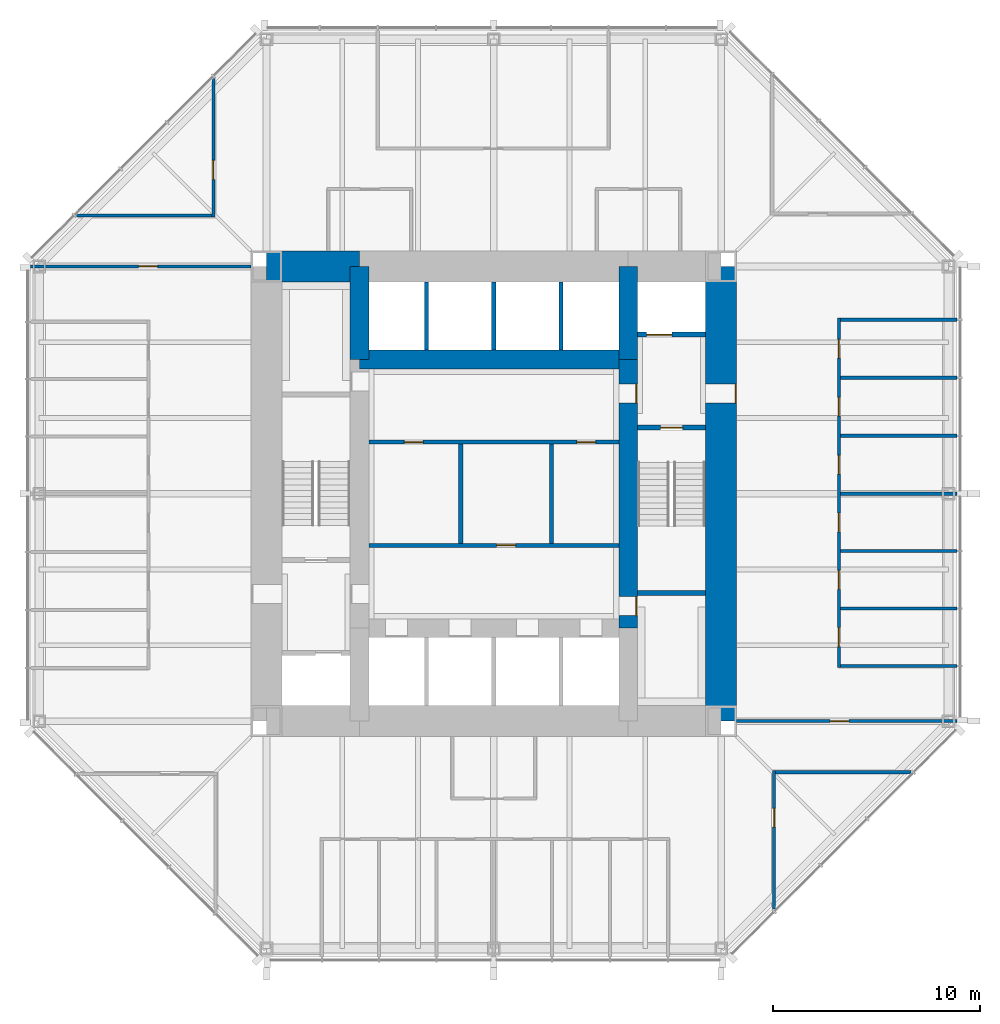
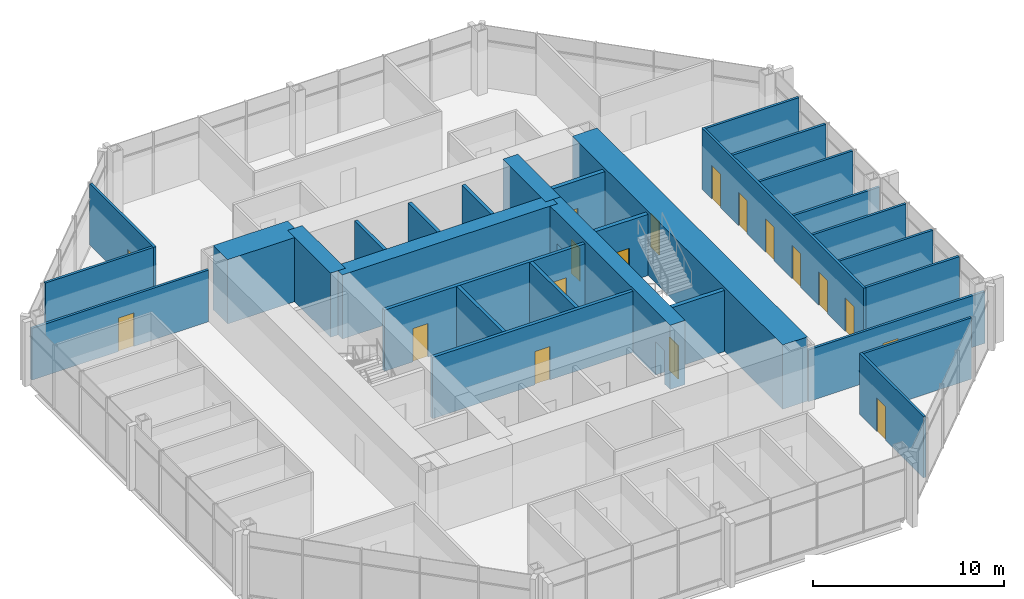
# One storey, part 10 of 12: 30 walls, 18 doors, 18 openings.
"""IFC4 building model written with IfcOpenShell, lengths in metres."""

import ifcopenshell
import ifcopenshell.guid

model = None  # the IFC model being written
_history = None  # IfcOwnerHistory: only IFC2X3 demands one
_inside = {}  # id of a spatial element -> (the spatial element, [elements in it])
_under = {}  # id of a project, library or spatial element -> (it, [spatial elements below it])
_declared = {}  # id of a project -> (the project, [libraries it declares])
_typed = {}  # id of a type object -> (the type object, [elements of that type])
_made_of = {}  # id of a material, layer set ... -> (it, [elements and type objects made of it])


def new_model(schema):
    """Start an empty IFC model of exactly this schema.

    Asked for "IFC4X3", IfcOpenShell would pick the latest addendum, in which some entities
    have other attributes; the version numbers below select the first issue.
    IFC2X3 requires an IfcOwnerHistory on every rooted entity: one is made here for all.
    """
    global model, _history
    if schema == "IFC4X3":
        model = ifcopenshell.file(schema_version=(4, 3, 0, 0))
    else:
        model = ifcopenshell.file(schema=schema)
    _inside.clear()
    _under.clear()
    _declared.clear()
    _typed.clear()
    _made_of.clear()
    _history = None
    if model.schema == "IFC2X3":
        org = make("IfcOrganization", Name="unknown")
        user = make(
            "IfcPersonAndOrganization",
            ThePerson=make("IfcPerson", FamilyName="unknown"),
            TheOrganization=org,
        )
        app = make(
            "IfcApplication",
            ApplicationDeveloper=org,
            Version="unknown",
            ApplicationFullName="unknown",
            ApplicationIdentifier="unknown",
        )
        _history = make(
            "IfcOwnerHistory",
            OwningUser=user,
            OwningApplication=app,
            ChangeAction="ADDED",
            CreationDate=0,
        )
    return model


def make(cls, **values):
    """One entity of the class cls with the attributes given. An attribute that is None is left unset."""
    return model.create_entity(
        cls, **{name: value for name, value in values.items() if value is not None}
    )


def rooted(cls, **values):
    """An entity with a GlobalId (a new one), such as an element, a storey or a relation."""
    return make(cls, GlobalId=ifcopenshell.guid.new(), OwnerHistory=_history, **values)


def si_unit(unit_type, name, prefix=None):
    """IfcSIUnit, for example si_unit("LENGTHUNIT", "METRE", prefix="MILLI")."""
    return make("IfcSIUnit", UnitType=unit_type, Prefix=prefix, Name=name)


def assignment(units):
    """IfcUnitAssignment: the units of a project."""
    return None if units is None else make("IfcUnitAssignment", Units=units)


def point(xyz):
    """IfcCartesianPoint."""
    return None if xyz is None else make("IfcCartesianPoint", Coordinates=xyz)


def direction(xyz):
    """IfcDirection."""
    return None if xyz is None else make("IfcDirection", DirectionRatios=xyz)


def frame(location, z_axis=None, x_axis=None):
    """IfcAxis2Placement3D, a coordinate frame: its origin and axes. An axis left out is left unset."""
    return make(
        "IfcAxis2Placement3D",
        Location=point(location),
        Axis=direction(z_axis),
        RefDirection=direction(x_axis),
    )


def frame_2d(location, x_axis=None):
    """IfcAxis2Placement2D, a coordinate frame in the plane: its origin and x axis."""
    return make(
        "IfcAxis2Placement2D", Location=point(location), RefDirection=direction(x_axis)
    )


def origin():
    """The frame at (0, 0, 0) with its axes left unset."""
    return frame((0.0, 0.0, 0.0))


def place(relative_to, where):
    """IfcLocalPlacement: puts the frame where relative to a parent placement (None: the world)."""
    return make(
        "IfcLocalPlacement", PlacementRelTo=relative_to, RelativePlacement=where
    )


def context(
    kind, dimensions, precision=None, world=None, true_north=None, identifier=None
):
    """IfcGeometricRepresentationContext, for example the 3D "Model" context."""
    return make(
        "IfcGeometricRepresentationContext",
        ContextIdentifier=identifier,
        ContextType=kind,
        CoordinateSpaceDimension=dimensions,
        Precision=precision,
        WorldCoordinateSystem=world,
        TrueNorth=true_north,
    )


def subcontext(parent, identifier, kind, view, scale=None):
    """IfcGeometricRepresentationSubContext, for example "Body" below "Model"."""
    return make(
        "IfcGeometricRepresentationSubContext",
        ContextIdentifier=identifier,
        ContextType=kind,
        ParentContext=parent,
        TargetScale=scale,
        TargetView=view,
    )


def project(units=None, contexts=None):
    """IfcProject with its units and contexts."""
    return rooted(
        "IfcProject",
        Name="project",
        RepresentationContexts=contexts,
        UnitsInContext=assignment(units),
    )


def spatial(cls, under=None, at=None, **own):
    """A site, building, storey or space (cls), placed at a placement, below another one or the project."""
    s = rooted(cls, ObjectPlacement=at, **own)
    if under is not None:
        _under.setdefault(under.id(), (under, []))[1].append(s)
    return s


def profile(cls, at=None, kind="AREA", **sizes):
    """A parametric profile (cls). Its sizes go by their IFC names, for example OverallWidth=200.0."""
    return make(cls, ProfileType=kind, Position=at, **sizes)


def rectangle(**sizes):
    """IfcRectangleProfileDef."""
    return profile("IfcRectangleProfileDef", **sizes)


def extrude(swept, where, along, depth):
    """IfcExtrudedAreaSolid: the profile swept, set in the frame where, extruded along a direction by depth."""
    return make(
        "IfcExtrudedAreaSolid",
        SweptArea=swept,
        Position=where,
        ExtrudedDirection=direction(along),
        Depth=depth,
    )


def shape(context_of_items, identifier, shape_type, items):
    """IfcShapeRepresentation: the items that make up one representation, for example the "Body"."""
    return make(
        "IfcShapeRepresentation",
        ContextOfItems=context_of_items,
        RepresentationIdentifier=identifier,
        RepresentationType=shape_type,
        Items=items,
    )


def material(Name=None, Category=None):
    """IfcMaterial."""
    return make("IfcMaterial", Name=Name, Category=Category)


def layer(
    of_material, thickness, ventilated=None, Name=None, Category=None, Priority=None
):
    """IfcMaterialLayer: one layer of a wall or slab, of a material (None: an air gap)."""
    return make(
        "IfcMaterialLayer",
        Material=of_material,
        LayerThickness=thickness,
        IsVentilated=ventilated,
        Name=Name,
        Category=Category,
        Priority=Priority,
    )


def layer_set(layers, Name=None):
    """IfcMaterialLayerSet."""
    return make("IfcMaterialLayerSet", MaterialLayers=layers, LayerSetName=Name)


def made_of(thing, what):
    """Note that an element or type object is made of a material, layer set ...; save() writes the relation."""
    if what is not None:
        _made_of.setdefault(what.id(), (what, []))[1].append(thing)
    return thing


def type_object(cls, material=None, **own):
    """A type object (cls), such as IfcWallType, which elements share."""
    return made_of(rooted(cls, **own), material)


def element(
    cls,
    number,
    at=None,
    inside=None,
    cuts=None,
    type_object=None,
    material=None,
    context=None,
    identifier="Body",
    shape_type=None,
    held_by="IfcProductDefinitionShape",
    body=None,
    shapes=None,
    **own,
):
    """One element of the class cls, such as IfcWall. Its Tag is "e" and its number.

    at: its placement. inside: the storey or other place that contains it. cuts: it is an
    opening in that element (IfcRelVoidsElement). A single representation is given by context,
    identifier, shape_type and body (its items); several are given by shapes. held_by: the class
    of the entity that holds the representations. save() writes the other relations.
    """
    e = rooted(cls, Tag="e%d" % number, ObjectPlacement=at, **own)
    if body is not None:
        shapes = [shape(context, identifier, shape_type, body)]
    if shapes is not None:
        e.Representation = make(held_by, Representations=shapes)
    if inside is not None:
        _inside.setdefault(inside.id(), (inside, []))[1].append(e)
    if cuts is not None:
        rooted(
            "IfcRelVoidsElement", RelatingBuildingElement=cuts, RelatedOpeningElement=e
        )
    if type_object is not None:
        _typed.setdefault(type_object.id(), (type_object, []))[1].append(e)
    return made_of(e, material)


def fill(opening, filler):
    """IfcRelFillsElement: the door or window that sits in an opening."""
    return rooted(
        "IfcRelFillsElement",
        RelatingOpeningElement=opening,
        RelatedBuildingElement=filler,
    )


def aggregate(whole, parts):
    """IfcRelAggregates: a whole, such as a stair, and the parts it consists of."""
    return rooted("IfcRelAggregates", RelatingObject=whole, RelatedObjects=parts)


def save(model, path):
    """Write the relations noted so far, then the file.

    IfcRelAggregates (storeys below a building ...), IfcRelContainedInSpatialStructure (elements
    in a storey), IfcRelDefinesByType, IfcRelAssociatesMaterial and IfcRelDeclares: one each for
    every whole, place, type object, material and project.
    """
    for whole, parts in _under.values():
        aggregate(whole, parts)
    for where, things in _inside.values():
        rooted(
            "IfcRelContainedInSpatialStructure",
            RelatedElements=things,
            RelatingStructure=where,
        )
    for kind, things in _typed.values():
        rooted("IfcRelDefinesByType", RelatedObjects=things, RelatingType=kind)
    for what, things in _made_of.values():
        rooted("IfcRelAssociatesMaterial", RelatedObjects=things, RelatingMaterial=what)
    for by, libraries in _declared.values():
        rooted("IfcRelDeclares", RelatingContext=by, RelatedDefinitions=libraries)
    model.write(path)


model = new_model("IFC4")

# Units and contexts
model_context = context("Model", 3, precision=1e-05, world=origin(), true_north=direction((0.0, 1.0)))
body_context = subcontext(model_context, "Body", "Model", "MODEL_VIEW")
ifc_project = project(units=[si_unit("LENGTHUNIT", "METRE"), si_unit("AREAUNIT", "SQUARE_METRE"), si_unit("VOLUMEUNIT", "CUBIC_METRE"), si_unit("PLANEANGLEUNIT", "RADIAN"), si_unit("MASSUNIT", "GRAM", prefix="KILO")], contexts=[model_context])

# Site, building, storey
site_placement = place(None, origin())
site = spatial("IfcSite", under=ifc_project, at=site_placement, CompositionType="ELEMENT")
building_placement = place(site_placement, origin())
building = spatial("IfcBuilding", under=site, at=building_placement, Name="Trevanion Tower", CompositionType="ELEMENT")
storey_placement = place(building_placement, frame((0.0, 0.0, 174.60009765625)))
storey = spatial("IfcBuildingStorey", under=building, at=storey_placement, Name="L41", CompositionType="ELEMENT", Elevation=174.60009765625)

# Wall, opening, door
ifc_material_1 = material(Name="Concrete 10,000 psi", Category="concrete")
ifc_layer_1 = layer(ifc_material_1, 1.5)
ifc_layer_set_1 = layer_set([ifc_layer_1], Name="CW1 core wall 1500")
wall_type_1 = type_object("IfcWallType", Name="CW1 core wall 1500", PredefinedType="SHEAR", material=ifc_layer_set_1)
wall_1_placement = place(storey_placement, frame((11.0, -11.0, 0.0), z_axis=(0.0, 0.0, 1.0), x_axis=(0.0, 1.0, 0.0)))
wall_1 = element("IfcWall", 1, at=wall_1_placement, inside=storey, type_object=wall_type_1, Name="CW1 CE L41", PredefinedType="SHEAR", context=body_context, shape_type="SweptSolid", body=[
    extrude(rectangle(XDim=22.0, YDim=1.5, at=frame_2d((11.0, 0.0))), origin(), (0.0, 0.0, 1.0), 4.099853515625),
])
opening_1_placement = place(wall_1_placement, frame((15.392578125, 0.0, 0.0)))
opening_1 = element("IfcOpeningElement", 2, at=opening_1_placement, cuts=wall_1, Name="Opening 41-001", PredefinedType="OPENING", context=body_context, shape_type="SweptSolid", body=[
    extrude(rectangle(XDim=0.9150390625, YDim=2.134033203125, at=frame_2d((0.45751953125, 1.06689453125))), frame((0.0, 0.760009765625, 0.0), z_axis=(0.0, -1.0, 0.0), x_axis=(1.0, 0.0, 0.0)), (0.0, 0.0, 1.0), 1.52001953125),
])
ifc_material_2 = material(Name="Hollow metal, fire rated", Category="steel")
door_type_1 = type_object("IfcDoorType", Name="D3 fire lift lobby door", OperationType="SINGLE_SWING_RIGHT", PredefinedType="DOOR", material=ifc_material_2)
door_1_placement = place(opening_1_placement, origin())
door_1 = element("IfcDoor", 3, at=door_1_placement, inside=storey, type_object=door_type_1, Name="Door 41-001", OperationType="SINGLE_SWING_RIGHT", OverallHeight=2.134033203125, OverallWidth=0.9150390625, PredefinedType="DOOR", context=body_context, shape_type="SweptSolid", body=[
    extrude(rectangle(XDim=0.9150390625, YDim=2.134033203125, at=frame_2d((0.45751953125, 1.06689453125))), frame((0.0, -0.6748046875, 0.0), z_axis=(0.0, -1.0, 0.0), x_axis=(1.0, 0.0, 0.0)), (0.0, 0.0, 1.0), 0.050048828125),
])
fill(opening_1, door_1)

# Wall
wall_2_placement = place(storey_placement, frame((-6.5, 11.0, 0.0), z_axis=(0.0, 0.0, 1.0), x_axis=(-1.0, 0.0, 0.0)))
element("IfcWall", 4, at=wall_2_placement, inside=storey, type_object=wall_type_1, Name="CW1 CN3 L41", PredefinedType="SHEAR", context=body_context, shape_type="SweptSolid", body=[
    extrude(rectangle(XDim=4.5, YDim=1.5, at=frame_2d((2.25, 0.0))), origin(), (0.0, 0.0, 1.0), 4.099853515625),
])

# Wall, openings, doors
ifc_material_3 = material(Name="Concrete 10,000 psi", Category="concrete")
ifc_layer_2 = layer(ifc_material_3, 0.89990234375)
ifc_layer_set_2 = layer_set([ifc_layer_2], Name="CW2 core wall 900")
wall_type_2 = type_object("IfcWallType", Name="CW2 core wall 900", PredefinedType="SHEAR", material=ifc_layer_set_2)
wall_3_placement = place(storey_placement, frame((6.5, -6.5, 0.0), z_axis=(0.0, 0.0, 1.0), x_axis=(0.0, 1.0, 0.0)))
wall_3 = element("IfcWall", 5, at=wall_3_placement, inside=storey, type_object=wall_type_2, Name="CW2 RE2 L41", PredefinedType="SHEAR", context=body_context, shape_type="SweptSolid", body=[
    extrude(rectangle(XDim=13.0, YDim=0.89990234375, at=frame_2d((6.5, 0.0))), origin(), (0.0, 0.0, 1.0), 4.099853515625),
])
opening_2_placement = place(wall_3_placement, frame((10.892578125, 0.0, 0.0)))
opening_2 = element("IfcOpeningElement", 6, at=opening_2_placement, cuts=wall_3, Name="Opening 41-003", PredefinedType="OPENING", context=body_context, shape_type="SweptSolid", body=[
    extrude(rectangle(XDim=0.9150390625, YDim=2.134033203125, at=frame_2d((0.45751953125, 1.06689453125))), frame((0.0, 0.4599609375, 0.0), z_axis=(0.0, -1.0, 0.0), x_axis=(1.0, 0.0, 0.0)), (0.0, 0.0, 1.0), 0.919921875),
])
opening_3_placement = place(wall_3_placement, frame((0.610107421875, 0.0, 0.0)))
opening_3 = element("IfcOpeningElement", 7, at=opening_3_placement, cuts=wall_3, Name="Opening 41-009", PredefinedType="OPENING", context=body_context, shape_type="SweptSolid", body=[
    extrude(rectangle(XDim=0.9150390625, YDim=2.134033203125, at=frame_2d((0.45751953125, 1.06689453125))), frame((0.0, 0.4599609375, 0.0), z_axis=(0.0, -1.0, 0.0), x_axis=(1.0, 0.0, 0.0)), (0.0, 0.0, 1.0), 0.919921875),
])
door_2_placement = place(opening_2_placement, origin())
door_2 = element("IfcDoor", 8, at=door_2_placement, inside=storey, type_object=door_type_1, Name="Door 41-003", OperationType="SINGLE_SWING_RIGHT", OverallHeight=2.134033203125, OverallWidth=0.9150390625, PredefinedType="DOOR", context=body_context, shape_type="SweptSolid", body=[
    extrude(rectangle(XDim=0.9150390625, YDim=2.134033203125, at=frame_2d((0.45751953125, 1.06689453125))), frame((0.0, -0.375, 0.0), z_axis=(0.0, -1.0, 0.0), x_axis=(1.0, 0.0, 0.0)), (0.0, 0.0, 1.0), 0.050048828125),
])
fill(opening_2, door_2)
ifc_material_4 = material(Name="Hollow metal, fire rated", Category="steel")
door_type_2 = type_object("IfcDoorType", Name="D5 service room door", OperationType="SINGLE_SWING_RIGHT", PredefinedType="DOOR", material=ifc_material_4)
door_3_placement = place(opening_3_placement, origin())
door_3 = element("IfcDoor", 9, at=door_3_placement, inside=storey, type_object=door_type_2, Name="Door 41-009", OperationType="SINGLE_SWING_RIGHT", OverallHeight=2.134033203125, OverallWidth=0.9150390625, PredefinedType="DOOR", context=body_context, shape_type="SweptSolid", body=[
    extrude(rectangle(XDim=0.9150390625, YDim=2.134033203125, at=frame_2d((0.45751953125, 1.06689453125))), frame((0.0, -0.375, 0.0), z_axis=(0.0, -1.0, 0.0), x_axis=(1.0, 0.0, 0.0)), (0.0, 0.0, 1.0), 0.050048828125),
])
fill(opening_3, door_3)

# Walls
for number, where, z_axis, x_axis, name in (
    (10, (6.5, 6.5, 0.0), (0.0, 0.0, 1.0), (0.0, 1.0, 0.0), "CW2 RE3 L41"),
    (11, (-6.5, 11.0, 0.0), (0.0, 0.0, 1.0), (0.0, -1.0, 0.0), "CW2 RW1 L41"),
):
    element("IfcWall", number, at=place(storey_placement, frame(where, z_axis=z_axis, x_axis=x_axis)), inside=storey, type_object=wall_type_2, Name=name, PredefinedType="SHEAR", context=body_context, shape_type="SweptSolid", body=[
        extrude(rectangle(XDim=4.5, YDim=0.89990234375, at=frame_2d((2.25, 0.0))), origin(), (0.0, 0.0, 1.0), 4.099853515625),
    ])
wall_4_placement = place(storey_placement, frame((6.5, 6.5, 0.0), z_axis=(0.0, 0.0, 1.0), x_axis=(-1.0, 0.0, 0.0)))
element("IfcWall", 12, at=wall_4_placement, inside=storey, type_object=wall_type_2, Name="CW2 RN L41", PredefinedType="SHEAR", context=body_context, shape_type="SweptSolid", body=[
    extrude(rectangle(XDim=13.0, YDim=0.89990234375, at=frame_2d((6.5, 0.0))), origin(), (0.0, 0.0, 1.0), 4.099853515625),
])

# Wall, opening, door
ifc_material_5 = material(Name="Gypsum board on steel studs", Category="steel")
ifc_layer_3 = layer(ifc_material_5, 0.14990234375)
ifc_layer_set_3 = layer_set([ifc_layer_3], Name="PT1 partition 150")
wall_type_3 = type_object("IfcWallType", Name="PT1 partition 150", PredefinedType="PARTITIONING", material=ifc_layer_set_3)
wall_5_placement = place(storey_placement, frame((-11.75, 11.0, 0.0), z_axis=(0.0, 0.0, 1.0), x_axis=(-1.0, 0.0, 0.0)))
wall_5 = element("IfcWall", 13, at=wall_5_placement, inside=storey, type_object=wall_type_3, Name="PT1 L41 ZW1", PredefinedType="PARTITIONING", context=body_context, shape_type="SweptSolid", body=[
    extrude(rectangle(XDim=10.6650390625, YDim=0.14990234375, at=frame_2d((5.33251953125, 0.0))), origin(), (0.0, 0.0, 1.0), 3.30029296875),
])
opening_4_placement = place(wall_5_placement, frame((4.517578125, 0.0, 0.0)))
opening_4 = element("IfcOpeningElement", 14, at=opening_4_placement, cuts=wall_5, Name="Opening 41-018", PredefinedType="OPENING", context=body_context, shape_type="SweptSolid", body=[
    extrude(rectangle(XDim=0.9150390625, YDim=2.134033203125, at=frame_2d((0.45751953125, 1.06689453125))), frame((0.0, 0.0849609375, 0.0), z_axis=(0.0, -1.0, 0.0), x_axis=(1.0, 0.0, 0.0)), (0.0, 0.0, 1.0), 0.169921875),
])
ifc_material_6 = material(Name="Timber veneer, solid core", Category="wood")
door_type_3 = type_object("IfcDoorType", Name="D1 office and meeting room door", OperationType="SINGLE_SWING_LEFT", PredefinedType="DOOR", material=ifc_material_6)
door_4_placement = place(opening_4_placement, origin())
door_4 = element("IfcDoor", 15, at=door_4_placement, inside=storey, type_object=door_type_3, Name="Door 41-018", OperationType="SINGLE_SWING_LEFT", OverallHeight=2.134033203125, OverallWidth=0.9150390625, PredefinedType="DOOR", context=body_context, shape_type="SweptSolid", body=[
    extrude(rectangle(XDim=0.9150390625, YDim=2.134033203125, at=frame_2d((0.45751953125, 1.06689453125))), frame((0.0, 0.02490234375, 0.0), z_axis=(0.0, -1.0, 0.0), x_axis=(1.0, 0.0, 0.0)), (0.0, 0.0, 1.0), 0.050048828125),
])
fill(opening_4, door_4)

wall_6_placement = place(storey_placement, frame((11.75, -11.0, 0.0), z_axis=(0.0, 0.0, 1.0), x_axis=(1.0, 0.0, 0.0)))
wall_6 = element("IfcWall", 16, at=wall_6_placement, inside=storey, type_object=wall_type_3, Name="PT1 L41 ZW3", PredefinedType="PARTITIONING", context=body_context, shape_type="SweptSolid", body=[
    extrude(rectangle(XDim=10.6650390625, YDim=0.14990234375, at=frame_2d((5.33251953125, 0.0))), origin(), (0.0, 0.0, 1.0), 3.30029296875),
])
opening_5_placement = place(wall_6_placement, frame((4.517578125, 0.0, 0.0)))
opening_5 = element("IfcOpeningElement", 17, at=opening_5_placement, cuts=wall_6, Name="Opening 41-019", PredefinedType="OPENING", context=body_context, shape_type="SweptSolid", body=[
    extrude(rectangle(XDim=0.9150390625, YDim=2.134033203125, at=frame_2d((0.45751953125, 1.06689453125))), frame((0.0, 0.0849609375, 0.0), z_axis=(0.0, -1.0, 0.0), x_axis=(1.0, 0.0, 0.0)), (0.0, 0.0, 1.0), 0.169921875),
])
door_5_placement = place(opening_5_placement, origin())
door_5 = element("IfcDoor", 18, at=door_5_placement, inside=storey, type_object=door_type_3, Name="Door 41-019", OperationType="SINGLE_SWING_LEFT", OverallHeight=2.134033203125, OverallWidth=0.9150390625, PredefinedType="DOOR", context=body_context, shape_type="SweptSolid", body=[
    extrude(rectangle(XDim=0.9150390625, YDim=2.134033203125, at=frame_2d((0.45751953125, 1.06689453125))), frame((0.0, 0.02490234375, 0.0), z_axis=(0.0, -1.0, 0.0), x_axis=(1.0, 0.0, 0.0)), (0.0, 0.0, 1.0), 0.050048828125),
])
fill(opening_5, door_5)

wall_7_placement = place(storey_placement, frame((-13.56591796875, 13.39892578125, 0.0), z_axis=(0.0, 0.0, 1.0), x_axis=(0.0, 1.0, 0.0)))
wall_7 = element("IfcWall", 19, at=wall_7_placement, inside=storey, type_object=wall_type_3, Name="PT1 L41 KW1a", PredefinedType="PARTITIONING", context=body_context, shape_type="SweptSolid", body=[
    extrude(rectangle(XDim=6.697998046875, YDim=0.14990234375, at=frame_2d((3.34912109375, 0.0))), origin(), (0.0, 0.0, 1.0), 3.909912109375),
])
opening_6_placement = place(wall_7_placement, frame((1.8173828125, 0.0, 0.0)))
opening_6 = element("IfcOpeningElement", 20, at=opening_6_placement, cuts=wall_7, Name="Opening 41-021", PredefinedType="OPENING", context=body_context, shape_type="SweptSolid", body=[
    extrude(rectangle(XDim=0.9150390625, YDim=2.134033203125, at=frame_2d((0.45751953125, 1.06689453125))), frame((0.0, 0.0849609375, 0.0), z_axis=(0.0, -1.0, 0.0), x_axis=(1.0, 0.0, 0.0)), (0.0, 0.0, 1.0), 0.169921875),
])
door_6_placement = place(opening_6_placement, origin())
door_6 = element("IfcDoor", 21, at=door_6_placement, inside=storey, type_object=door_type_3, Name="Door 41-021", OperationType="SINGLE_SWING_LEFT", OverallHeight=2.134033203125, OverallWidth=0.9150390625, PredefinedType="DOOR", context=body_context, shape_type="SweptSolid", body=[
    extrude(rectangle(XDim=0.9150390625, YDim=2.134033203125, at=frame_2d((0.45751953125, 1.06689453125))), frame((0.0, 0.02490234375, 0.0), z_axis=(0.0, -1.0, 0.0), x_axis=(1.0, 0.0, 0.0)), (0.0, 0.0, 1.0), 0.050048828125),
])
fill(opening_6, door_6)

# Wall
wall_8_placement = place(storey_placement, frame((-13.64111328125, 13.47412109375, 0.0), z_axis=(0.0, 0.0, 1.0), x_axis=(-1.0, 0.0, 0.0)))
element("IfcWall", 22, at=wall_8_placement, inside=storey, type_object=wall_type_3, Name="PT1 L41 KW1b", PredefinedType="PARTITIONING", context=body_context, shape_type="SweptSolid", body=[
    extrude(rectangle(XDim=6.5478515625, YDim=0.14990234375, at=frame_2d((3.27392578125, 0.0))), origin(), (0.0, 0.0, 1.0), 3.909912109375),
])

# Wall, opening, door
wall_9_placement = place(storey_placement, frame((13.56591796875, -13.39892578125, 0.0), z_axis=(0.0, 0.0, 1.0), x_axis=(0.0, -1.0, 0.0)))
wall_9 = element("IfcWall", 23, at=wall_9_placement, inside=storey, type_object=wall_type_3, Name="PT1 L41 KW3a", PredefinedType="PARTITIONING", context=body_context, shape_type="SweptSolid", body=[
    extrude(rectangle(XDim=6.697998046875, YDim=0.14990234375, at=frame_2d((3.34912109375, 0.0))), origin(), (0.0, 0.0, 1.0), 3.909912109375),
])
opening_7_placement = place(wall_9_placement, frame((1.8173828125, 0.0, 0.0)))
opening_7 = element("IfcOpeningElement", 24, at=opening_7_placement, cuts=wall_9, Name="Opening 41-023", PredefinedType="OPENING", context=body_context, shape_type="SweptSolid", body=[
    extrude(rectangle(XDim=0.9150390625, YDim=2.134033203125, at=frame_2d((0.45751953125, 1.06689453125))), frame((0.0, 0.0849609375, 0.0), z_axis=(0.0, -1.0, 0.0), x_axis=(1.0, 0.0, 0.0)), (0.0, 0.0, 1.0), 0.169921875),
])
door_7_placement = place(opening_7_placement, origin())
door_7 = element("IfcDoor", 25, at=door_7_placement, inside=storey, type_object=door_type_3, Name="Door 41-023", OperationType="SINGLE_SWING_LEFT", OverallHeight=2.134033203125, OverallWidth=0.9150390625, PredefinedType="DOOR", context=body_context, shape_type="SweptSolid", body=[
    extrude(rectangle(XDim=0.9150390625, YDim=2.134033203125, at=frame_2d((0.45751953125, 1.06689453125))), frame((0.0, 0.02490234375, 0.0), z_axis=(0.0, -1.0, 0.0), x_axis=(1.0, 0.0, 0.0)), (0.0, 0.0, 1.0), 0.050048828125),
])
fill(opening_7, door_7)

# Wall
wall_10_placement = place(storey_placement, frame((13.64111328125, -13.47412109375, 0.0), z_axis=(0.0, 0.0, 1.0), x_axis=(1.0, 0.0, 0.0)))
element("IfcWall", 26, at=wall_10_placement, inside=storey, type_object=wall_type_3, Name="PT1 L41 KW3b", PredefinedType="PARTITIONING", context=body_context, shape_type="SweptSolid", body=[
    extrude(rectangle(XDim=6.5478515625, YDim=0.14990234375, at=frame_2d((3.27392578125, 0.0))), origin(), (0.0, 0.0, 1.0), 3.909912109375),
])

# Wall, openings, doors
wall_11_placement = place(storey_placement, frame((16.699951171875, -8.39794921875, 0.0), z_axis=(0.0, 0.0, 1.0), x_axis=(0.0, 1.0, 0.0)))
wall_11 = element("IfcWall", 27, at=wall_11_placement, inside=storey, type_object=wall_type_3, Name="PT1 L41 FC0F", PredefinedType="PARTITIONING", context=body_context, shape_type="SweptSolid", body=[
    extrude(rectangle(XDim=16.89404296875, YDim=0.14990234375, at=frame_2d((8.447021484375, 0.0))), origin(), (0.0, 0.0, 1.0), 3.909912109375),
])
opening_8_placement = place(wall_11_placement, frame((1.00439453125, 0.0, 0.0)))
opening_8 = element("IfcOpeningElement", 28, at=opening_8_placement, cuts=wall_11, Name="Opening 41-024", PredefinedType="OPENING", context=body_context, shape_type="SweptSolid", body=[
    extrude(rectangle(XDim=0.9150390625, YDim=2.134033203125, at=frame_2d((0.45751953125, 1.06689453125))), frame((0.0, 0.0849609375, 0.0), z_axis=(0.0, -1.0, 0.0), x_axis=(1.0, 0.0, 0.0)), (0.0, 0.0, 1.0), 0.169921875),
])
opening_9_placement = place(wall_11_placement, frame((3.778564453125, 0.0, 0.0)))
opening_9 = element("IfcOpeningElement", 29, at=opening_9_placement, cuts=wall_11, Name="Opening 41-025", PredefinedType="OPENING", context=body_context, shape_type="SweptSolid", body=[
    extrude(rectangle(XDim=0.9150390625, YDim=2.134033203125, at=frame_2d((0.45751953125, 1.06689453125))), frame((0.0, 0.0849609375, 0.0), z_axis=(0.0, -1.0, 0.0), x_axis=(1.0, 0.0, 0.0)), (0.0, 0.0, 1.0), 0.169921875),
])
opening_10_placement = place(wall_11_placement, frame((6.552978515625, 0.0, 0.0)))
opening_10 = element("IfcOpeningElement", 30, at=opening_10_placement, cuts=wall_11, Name="Opening 41-026", PredefinedType="OPENING", context=body_context, shape_type="SweptSolid", body=[
    extrude(rectangle(XDim=0.9150390625, YDim=2.134033203125, at=frame_2d((0.45751953125, 1.06689453125))), frame((0.0, 0.0849609375, 0.0), z_axis=(0.0, -1.0, 0.0), x_axis=(1.0, 0.0, 0.0)), (0.0, 0.0, 1.0), 0.169921875),
])
opening_11_placement = place(wall_11_placement, frame((9.343994140625, 0.0, 0.0)))
opening_11 = element("IfcOpeningElement", 31, at=opening_11_placement, cuts=wall_11, Name="Opening 41-027", PredefinedType="OPENING", context=body_context, shape_type="SweptSolid", body=[
    extrude(rectangle(XDim=0.9150390625, YDim=2.134033203125, at=frame_2d((0.45751953125, 1.06689453125))), frame((0.0, 0.0849609375, 0.0), z_axis=(0.0, -1.0, 0.0), x_axis=(1.0, 0.0, 0.0)), (0.0, 0.0, 1.0), 0.169921875),
])
opening_12_placement = place(wall_11_placement, frame((12.15087890625, 0.0, 0.0)))
opening_12 = element("IfcOpeningElement", 32, at=opening_12_placement, cuts=wall_11, Name="Opening 41-028", PredefinedType="OPENING", context=body_context, shape_type="SweptSolid", body=[
    extrude(rectangle(XDim=0.9150390625, YDim=2.134033203125, at=frame_2d((0.45751953125, 1.06689453125))), frame((0.0, 0.0849609375, 0.0), z_axis=(0.0, -1.0, 0.0), x_axis=(1.0, 0.0, 0.0)), (0.0, 0.0, 1.0), 0.169921875),
])
opening_13_placement = place(wall_11_placement, frame((14.9580078125, 0.0, 0.0)))
opening_13 = element("IfcOpeningElement", 33, at=opening_13_placement, cuts=wall_11, Name="Opening 41-029", PredefinedType="OPENING", context=body_context, shape_type="SweptSolid", body=[
    extrude(rectangle(XDim=0.9150390625, YDim=2.134033203125, at=frame_2d((0.45751953125, 1.06689453125))), frame((0.0, 0.0849609375, 0.0), z_axis=(0.0, -1.0, 0.0), x_axis=(1.0, 0.0, 0.0)), (0.0, 0.0, 1.0), 0.169921875),
])
door_8_placement = place(opening_8_placement, origin())
door_8 = element("IfcDoor", 34, at=door_8_placement, inside=storey, type_object=door_type_3, Name="Door 41-024", OperationType="SINGLE_SWING_LEFT", OverallHeight=2.134033203125, OverallWidth=0.9150390625, PredefinedType="DOOR", context=body_context, shape_type="SweptSolid", body=[
    extrude(rectangle(XDim=0.9150390625, YDim=2.134033203125, at=frame_2d((0.45751953125, 1.06689453125))), frame((0.0, 0.02490234375, 0.0), z_axis=(0.0, -1.0, 0.0), x_axis=(1.0, 0.0, 0.0)), (0.0, 0.0, 1.0), 0.050048828125),
])
fill(opening_8, door_8)
door_9_placement = place(opening_9_placement, origin())
door_9 = element("IfcDoor", 35, at=door_9_placement, inside=storey, type_object=door_type_3, Name="Door 41-025", OperationType="SINGLE_SWING_LEFT", OverallHeight=2.134033203125, OverallWidth=0.9150390625, PredefinedType="DOOR", context=body_context, shape_type="SweptSolid", body=[
    extrude(rectangle(XDim=0.9150390625, YDim=2.134033203125, at=frame_2d((0.45751953125, 1.06689453125))), frame((0.0, 0.02490234375, 0.0), z_axis=(0.0, -1.0, 0.0), x_axis=(1.0, 0.0, 0.0)), (0.0, 0.0, 1.0), 0.050048828125),
])
fill(opening_9, door_9)
door_10_placement = place(opening_10_placement, origin())
door_10 = element("IfcDoor", 36, at=door_10_placement, inside=storey, type_object=door_type_3, Name="Door 41-026", OperationType="SINGLE_SWING_LEFT", OverallHeight=2.134033203125, OverallWidth=0.9150390625, PredefinedType="DOOR", context=body_context, shape_type="SweptSolid", body=[
    extrude(rectangle(XDim=0.9150390625, YDim=2.134033203125, at=frame_2d((0.45751953125, 1.06689453125))), frame((0.0, 0.02490234375, 0.0), z_axis=(0.0, -1.0, 0.0), x_axis=(1.0, 0.0, 0.0)), (0.0, 0.0, 1.0), 0.050048828125),
])
fill(opening_10, door_10)
door_11_placement = place(opening_11_placement, origin())
door_11 = element("IfcDoor", 37, at=door_11_placement, inside=storey, type_object=door_type_3, Name="Door 41-027", OperationType="SINGLE_SWING_LEFT", OverallHeight=2.134033203125, OverallWidth=0.9150390625, PredefinedType="DOOR", context=body_context, shape_type="SweptSolid", body=[
    extrude(rectangle(XDim=0.9150390625, YDim=2.134033203125, at=frame_2d((0.45751953125, 1.06689453125))), frame((0.0, 0.02490234375, 0.0), z_axis=(0.0, -1.0, 0.0), x_axis=(1.0, 0.0, 0.0)), (0.0, 0.0, 1.0), 0.050048828125),
])
fill(opening_11, door_11)
door_12_placement = place(opening_12_placement, origin())
door_12 = element("IfcDoor", 38, at=door_12_placement, inside=storey, type_object=door_type_3, Name="Door 41-028", OperationType="SINGLE_SWING_LEFT", OverallHeight=2.134033203125, OverallWidth=0.9150390625, PredefinedType="DOOR", context=body_context, shape_type="SweptSolid", body=[
    extrude(rectangle(XDim=0.9150390625, YDim=2.134033203125, at=frame_2d((0.45751953125, 1.06689453125))), frame((0.0, 0.02490234375, 0.0), z_axis=(0.0, -1.0, 0.0), x_axis=(1.0, 0.0, 0.0)), (0.0, 0.0, 1.0), 0.050048828125),
])
fill(opening_12, door_12)
door_13_placement = place(opening_13_placement, origin())
door_13 = element("IfcDoor", 39, at=door_13_placement, inside=storey, type_object=door_type_3, Name="Door 41-029", OperationType="SINGLE_SWING_LEFT", OverallHeight=2.134033203125, OverallWidth=0.9150390625, PredefinedType="DOOR", context=body_context, shape_type="SweptSolid", body=[
    extrude(rectangle(XDim=0.9150390625, YDim=2.134033203125, at=frame_2d((0.45751953125, 1.06689453125))), frame((0.0, 0.02490234375, 0.0), z_axis=(0.0, -1.0, 0.0), x_axis=(1.0, 0.0, 0.0)), (0.0, 0.0, 1.0), 0.050048828125),
])
fill(opening_13, door_13)

# Walls
for number, where, z_axis, x_axis, name in (
    (40, (16.77490234375, -8.322998046875, 0.0), (0.0, 0.0, 1.0), (1.0, 0.0, 0.0), "PT1 L41 FC0S0"),
    (41, (16.77490234375, -5.549072265625, 0.0), (0.0, 0.0, 1.0), (1.0, 0.0, 0.0), "PT1 L41 FC0S1"),
    (42, (16.77490234375, -2.77490234375, 0.0), (0.0, 0.0, 1.0), (1.0, 0.0, 0.0), "PT1 L41 FC0S2"),
):
    element("IfcWall", number, at=place(storey_placement, frame(where, z_axis=z_axis, x_axis=x_axis)), inside=storey, type_object=wall_type_3, Name=name, PredefinedType="PARTITIONING", context=body_context, shape_type="SweptSolid", body=[
        extrude(rectangle(XDim=5.64013671875, YDim=0.14990234375, at=frame_2d((2.820068359375, 0.0))), origin(), (0.0, 0.0, 1.0), 3.909912109375),
    ])
wall_12_placement = place(storey_placement, frame((16.77490234375, 0.0, 0.0), z_axis=(0.0, 0.0, 1.0), x_axis=(1.0, 0.0, 0.0)))
element("IfcWall", 43, at=wall_12_placement, inside=storey, type_object=wall_type_3, Name="PT1 L41 FC0S3", PredefinedType="PARTITIONING", context=body_context, shape_type="SweptSolid", body=[
    extrude(rectangle(XDim=5.64013671875, YDim=0.14990234375, at=frame_2d((2.820068359375, 0.0))), origin(), (0.0, 0.0, 1.0), 3.30029296875),
])
for number, where, z_axis, x_axis, name in (
    (44, (16.77490234375, 2.806884765625, 0.0), (0.0, 0.0, 1.0), (1.0, 0.0, 0.0), "PT1 L41 FC0S4"),
    (45, (16.77490234375, 5.614013671875, 0.0), (0.0, 0.0, 1.0), (1.0, 0.0, 0.0), "PT1 L41 FC0S5"),
    (46, (16.77490234375, 8.4208984375, 0.0), (0.0, 0.0, 1.0), (1.0, 0.0, 0.0), "PT1 L41 FC0S6"),
):
    element("IfcWall", number, at=place(storey_placement, frame(where, z_axis=z_axis, x_axis=x_axis)), inside=storey, type_object=wall_type_3, Name=name, PredefinedType="PARTITIONING", context=body_context, shape_type="SweptSolid", body=[
        extrude(rectangle(XDim=5.64013671875, YDim=0.14990234375, at=frame_2d((2.820068359375, 0.0))), origin(), (0.0, 0.0, 1.0), 3.909912109375),
    ])
ifc_material_7 = material(Name="Concrete masonry, grouted", Category="masonry")
ifc_layer_4 = layer(ifc_material_7, 0.199951171875)
ifc_layer_set_4 = layer_set([ifc_layer_4], Name="PT2 partition 200")
wall_type_4 = type_object("IfcWallType", Name="PT2 partition 200", PredefinedType="PARTITIONING", material=ifc_layer_set_4)
for number, where, z_axis, x_axis, name in (
    (47, (-1.60009765625, -2.39990234375, 0.0), (0.0, 0.0, 1.0), (0.0, 1.0, 0.0), "PT2 L41 TP1"),
    (48, (2.800048828125, -2.39990234375, 0.0), (0.0, 0.0, 1.0), (0.0, 1.0, 0.0), "PT2 L41 TP2"),
):
    element("IfcWall", number, at=place(storey_placement, frame(where, z_axis=z_axis, x_axis=x_axis)), inside=storey, type_object=wall_type_4, Name=name, PredefinedType="PARTITIONING", context=body_context, shape_type="SweptSolid", body=[
        extrude(rectangle(XDim=4.7998046875, YDim=0.199951171875, at=frame_2d((2.39990234375, 0.0))), origin(), (0.0, 0.0, 1.0), 3.909912109375),
    ])

# Wall, openings, doors
ifc_material_8 = material(Name="Concrete masonry, grouted", Category="masonry")
ifc_layer_5 = layer(ifc_material_8, 0.199951171875)
ifc_layer_set_5 = layer_set([ifc_layer_5], Name="PT2 partition 200 1 HR")
wall_type_5 = type_object("IfcWallType", Name="PT2 partition 200 1 HR", PredefinedType="PARTITIONING", material=ifc_layer_set_5)
wall_13_placement = place(storey_placement, frame((-6.050048828125, 2.5, 0.0), z_axis=(0.0, 0.0, 1.0), x_axis=(1.0, 0.0, 0.0)))
wall_13 = element("IfcWall", 49, at=wall_13_placement, inside=storey, type_object=wall_type_5, Name="PT2 L41 CP1", PredefinedType="PARTITIONING", context=body_context, shape_type="SweptSolid", body=[
    extrude(rectangle(XDim=12.10009765625, YDim=0.199951171875, at=frame_2d((6.050048828125, 0.0))), origin(), (0.0, 0.0, 1.0), 3.909912109375),
])
opening_14_placement = place(wall_13_placement, frame((1.717529296875, 0.0, 0.0)))
opening_14 = element("IfcOpeningElement", 50, at=opening_14_placement, cuts=wall_13, Name="Opening 41-015", PredefinedType="OPENING", context=body_context, shape_type="SweptSolid", body=[
    extrude(rectangle(XDim=0.9150390625, YDim=2.134033203125, at=frame_2d((0.45751953125, 1.06689453125))), frame((0.0, 0.10986328125, 0.0), z_axis=(0.0, -1.0, 0.0), x_axis=(1.0, 0.0, 0.0)), (0.0, 0.0, 1.0), 0.219970703125),
])
opening_15_placement = place(wall_13_placement, frame((10.0673828125, 0.0, 0.0)))
opening_15 = element("IfcOpeningElement", 51, at=opening_15_placement, cuts=wall_13, Name="Opening 41-017", PredefinedType="OPENING", context=body_context, shape_type="SweptSolid", body=[
    extrude(rectangle(XDim=0.9150390625, YDim=2.134033203125, at=frame_2d((0.45751953125, 1.06689453125))), frame((0.0, 0.10986328125, 0.0), z_axis=(0.0, -1.0, 0.0), x_axis=(1.0, 0.0, 0.0)), (0.0, 0.0, 1.0), 0.219970703125),
])
ifc_material_9 = material(Name="Plastic laminate on fire-rated core", Category="wood")
door_type_4 = type_object("IfcDoorType", Name="D12 toilet door in a one hour wall", OperationType="SINGLE_SWING_LEFT", PredefinedType="DOOR", material=ifc_material_9)
door_14_placement = place(opening_14_placement, origin())
door_14 = element("IfcDoor", 52, at=door_14_placement, inside=storey, type_object=door_type_4, Name="Door 41-015", OperationType="SINGLE_SWING_LEFT", OverallHeight=2.134033203125, OverallWidth=0.9150390625, PredefinedType="DOOR", context=body_context, shape_type="SweptSolid", body=[
    extrude(rectangle(XDim=0.9150390625, YDim=2.134033203125, at=frame_2d((0.45751953125, 1.06689453125))), frame((0.0, 0.02490234375, 0.0), z_axis=(0.0, -1.0, 0.0), x_axis=(1.0, 0.0, 0.0)), (0.0, 0.0, 1.0), 0.050048828125),
])
fill(opening_14, door_14)
door_15_placement = place(opening_15_placement, origin())
door_15 = element("IfcDoor", 53, at=door_15_placement, inside=storey, type_object=door_type_4, Name="Door 41-017", OperationType="SINGLE_SWING_LEFT", OverallHeight=2.134033203125, OverallWidth=0.9150390625, PredefinedType="DOOR", context=body_context, shape_type="SweptSolid", body=[
    extrude(rectangle(XDim=0.9150390625, YDim=2.134033203125, at=frame_2d((0.45751953125, 1.06689453125))), frame((0.0, 0.02490234375, 0.0), z_axis=(0.0, -1.0, 0.0), x_axis=(1.0, 0.0, 0.0)), (0.0, 0.0, 1.0), 0.050048828125),
])
fill(opening_15, door_15)

# Wall, opening, door
wall_14_placement = place(storey_placement, frame((6.050048828125, -2.5, 0.0), z_axis=(0.0, 0.0, 1.0), x_axis=(-1.0, 0.0, 0.0)))
wall_14 = element("IfcWall", 54, at=wall_14_placement, inside=storey, type_object=wall_type_5, Name="PT2 L41 CP2", PredefinedType="PARTITIONING", context=body_context, shape_type="SweptSolid", body=[
    extrude(rectangle(XDim=12.10009765625, YDim=0.199951171875, at=frame_2d((6.050048828125, 0.0))), origin(), (0.0, 0.0, 1.0), 3.909912109375),
])
opening_16_placement = place(wall_14_placement, frame((4.992431640625, 0.0, 0.0)))
opening_16 = element("IfcOpeningElement", 55, at=opening_16_placement, cuts=wall_14, Name="Opening 41-016", PredefinedType="OPENING", context=body_context, shape_type="SweptSolid", body=[
    extrude(rectangle(XDim=0.9150390625, YDim=2.134033203125, at=frame_2d((0.45751953125, 1.06689453125))), frame((0.0, 0.10986328125, 0.0), z_axis=(0.0, -1.0, 0.0), x_axis=(1.0, 0.0, 0.0)), (0.0, 0.0, 1.0), 0.219970703125),
])
door_16_placement = place(opening_16_placement, origin())
door_16 = element("IfcDoor", 56, at=door_16_placement, inside=storey, type_object=door_type_4, Name="Door 41-016", OperationType="SINGLE_SWING_LEFT", OverallHeight=2.134033203125, OverallWidth=0.9150390625, PredefinedType="DOOR", context=body_context, shape_type="SweptSolid", body=[
    extrude(rectangle(XDim=0.9150390625, YDim=2.134033203125, at=frame_2d((0.45751953125, 1.06689453125))), frame((0.0, 0.02490234375, 0.0), z_axis=(0.0, -1.0, 0.0), x_axis=(1.0, 0.0, 0.0)), (0.0, 0.0, 1.0), 0.050048828125),
])
fill(opening_16, door_16)

# Walls
ifc_material_10 = material(Name="Concrete masonry, grouted", Category="masonry")
ifc_layer_6 = layer(ifc_material_10, 0.199951171875)
ifc_layer_set_6 = layer_set([ifc_layer_6], Name="PT2 partition 200 2 HR")
wall_type_6 = type_object("IfcWallType", Name="PT2 partition 200 2 HR", PredefinedType="PARTITIONING", material=ifc_layer_set_6)
for number, where, z_axis, x_axis, name in (
    (57, (-3.25, 6.949951171875, 0.0), (0.0, 0.0, 1.0), (0.0, 1.0, 0.0), "PT2 L41 NS0"),
    (58, (0.0, 6.949951171875, 0.0), (0.0, 0.0, 1.0), (0.0, 1.0, 0.0), "PT2 L41 NS1"),
    (59, (3.25, 6.949951171875, 0.0), (0.0, 0.0, 1.0), (0.0, 1.0, 0.0), "PT2 L41 NS2"),
):
    element("IfcWall", number, at=place(storey_placement, frame(where, z_axis=z_axis, x_axis=x_axis)), inside=storey, type_object=wall_type_6, Name=name, PredefinedType="PARTITIONING", context=body_context, shape_type="SweptSolid", body=[
        extrude(rectangle(XDim=3.300048828125, YDim=0.199951171875, at=frame_2d((1.64990234375, 0.0))), origin(), (0.0, 0.0, 1.0), 3.909912109375),
    ])

# Wall, opening, door
ifc_material_11 = material(Name="Concrete masonry, grouted, two-hour", Category="masonry")
ifc_layer_7 = layer(ifc_material_11, 0.25)
ifc_layer_set_7 = layer_set([ifc_layer_7], Name="PT3 partition 250 2 HR")
wall_type_7 = type_object("IfcWallType", Name="PT3 partition 250 2 HR", PredefinedType="PARTITIONING", material=ifc_layer_set_7)
wall_15_placement = place(storey_placement, frame((6.949951171875, 7.699951171875, 0.0), z_axis=(0.0, 0.0, 1.0), x_axis=(1.0, 0.0, 0.0)))
wall_15 = element("IfcWall", 60, at=wall_15_placement, inside=storey, type_object=wall_type_7, Name="PT3 L41 EP3", PredefinedType="PARTITIONING", context=body_context, shape_type="SweptSolid", body=[
    extrude(rectangle(XDim=3.300048828125, YDim=0.25, at=frame_2d((1.64990234375, 0.0))), origin(), (0.0, 0.0, 1.0), 3.909912109375),
])
opening_17_placement = place(wall_15_placement, frame((0.449951171875, 0.0, 0.0)))
opening_17 = element("IfcOpeningElement", 61, at=opening_17_placement, cuts=wall_15, Name="Opening 41-007", PredefinedType="OPENING", context=body_context, shape_type="SweptSolid", body=[
    extrude(rectangle(XDim=1.218994140625, YDim=2.134033203125, at=frame_2d((0.609375, 1.06689453125))), frame((0.0, 0.135009765625, 0.0), z_axis=(0.0, -1.0, 0.0), x_axis=(1.0, 0.0, 0.0)), (0.0, 0.0, 1.0), 0.27001953125),
])
ifc_material_12 = material(Name="Stainless steel, fire rated", Category="steel")
door_type_5 = type_object("IfcDoorType", Name="LD2 fire service lift landing door", OperationType="SLIDING_TO_LEFT", PredefinedType="DOOR", material=ifc_material_12)
door_17_placement = place(opening_17_placement, origin())
door_17 = element("IfcDoor", 62, at=door_17_placement, inside=storey, type_object=door_type_5, Name="Door 41-007", OperationType="SLIDING_TO_LEFT", OverallHeight=2.134033203125, OverallWidth=1.218994140625, PredefinedType="DOOR", context=body_context, shape_type="SweptSolid", body=[
    extrude(rectangle(XDim=1.218994140625, YDim=2.134033203125, at=frame_2d((0.609375, 1.06689453125))), frame((0.0, 0.02490234375, 0.0), z_axis=(0.0, -1.0, 0.0), x_axis=(1.0, 0.0, 0.0)), (0.0, 0.0, 1.0), 0.050048828125),
])
fill(opening_17, door_17)

# Wall
ifc_material_13 = material(Name="Reinforced masonry, fully grouted", Category="masonry")
ifc_layer_8 = layer(ifc_material_13, 0.25)
ifc_layer_set_8 = layer_set([ifc_layer_8], Name="SW1 stair shaft wall 250")
wall_type_8 = type_object("IfcWallType", Name="SW1 stair shaft wall 250", PredefinedType="SOLIDWALL", material=ifc_layer_set_8)
wall_16_placement = place(storey_placement, frame((6.949951171875, -4.800048828125, 0.0), z_axis=(0.0, 0.0, 1.0), x_axis=(1.0, 0.0, 0.0)))
element("IfcWall", 63, at=wall_16_placement, inside=storey, type_object=wall_type_8, Name="SW1 L41 EP1", PredefinedType="SOLIDWALL", context=body_context, shape_type="SweptSolid", body=[
    extrude(rectangle(XDim=3.300048828125, YDim=0.25, at=frame_2d((1.64990234375, 0.0))), origin(), (0.0, 0.0, 1.0), 3.909912109375),
])

# Wall, opening, door
wall_17_placement = place(storey_placement, frame((6.949951171875, 3.199951171875, 0.0), z_axis=(0.0, 0.0, 1.0), x_axis=(1.0, 0.0, 0.0)))
wall_17 = element("IfcWall", 64, at=wall_17_placement, inside=storey, type_object=wall_type_8, Name="SW1 L41 EP2", PredefinedType="SOLIDWALL", context=body_context, shape_type="SweptSolid", body=[
    extrude(rectangle(XDim=3.300048828125, YDim=0.25, at=frame_2d((1.64990234375, 0.0))), origin(), (0.0, 0.0, 1.0), 3.909912109375),
])
opening_18_placement = place(wall_17_placement, frame((1.116455078125, 0.0, 0.0)))
opening_18 = element("IfcOpeningElement", 65, at=opening_18_placement, cuts=wall_17, Name="Opening 41-005", PredefinedType="OPENING", context=body_context, shape_type="SweptSolid", body=[
    extrude(rectangle(XDim=1.06689453125, YDim=2.134033203125, at=frame_2d((0.533447265625, 1.06689453125))), frame((0.0, 0.135009765625, 0.0), z_axis=(0.0, -1.0, 0.0), x_axis=(1.0, 0.0, 0.0)), (0.0, 0.0, 1.0), 0.27001953125),
])
ifc_material_14 = material(Name="Hollow metal, fire rated", Category="steel")
door_type_6 = type_object("IfcDoorType", Name="D2 exit stair door", OperationType="SINGLE_SWING_LEFT", PredefinedType="DOOR", material=ifc_material_14)
door_18_placement = place(opening_18_placement, origin())
door_18 = element("IfcDoor", 66, at=door_18_placement, inside=storey, type_object=door_type_6, Name="Door 41-005", OperationType="SINGLE_SWING_LEFT", OverallHeight=2.134033203125, OverallWidth=1.06689453125, PredefinedType="DOOR", context=body_context, shape_type="SweptSolid", body=[
    extrude(rectangle(XDim=1.06689453125, YDim=2.134033203125, at=frame_2d((0.533447265625, 1.06689453125))), frame((0.0, 0.02490234375, 0.0), z_axis=(0.0, -1.0, 0.0), x_axis=(1.0, 0.0, 0.0)), (0.0, 0.0, 1.0), 0.050048828125),
])
fill(opening_18, door_18)

save(model, "model.ifc")
